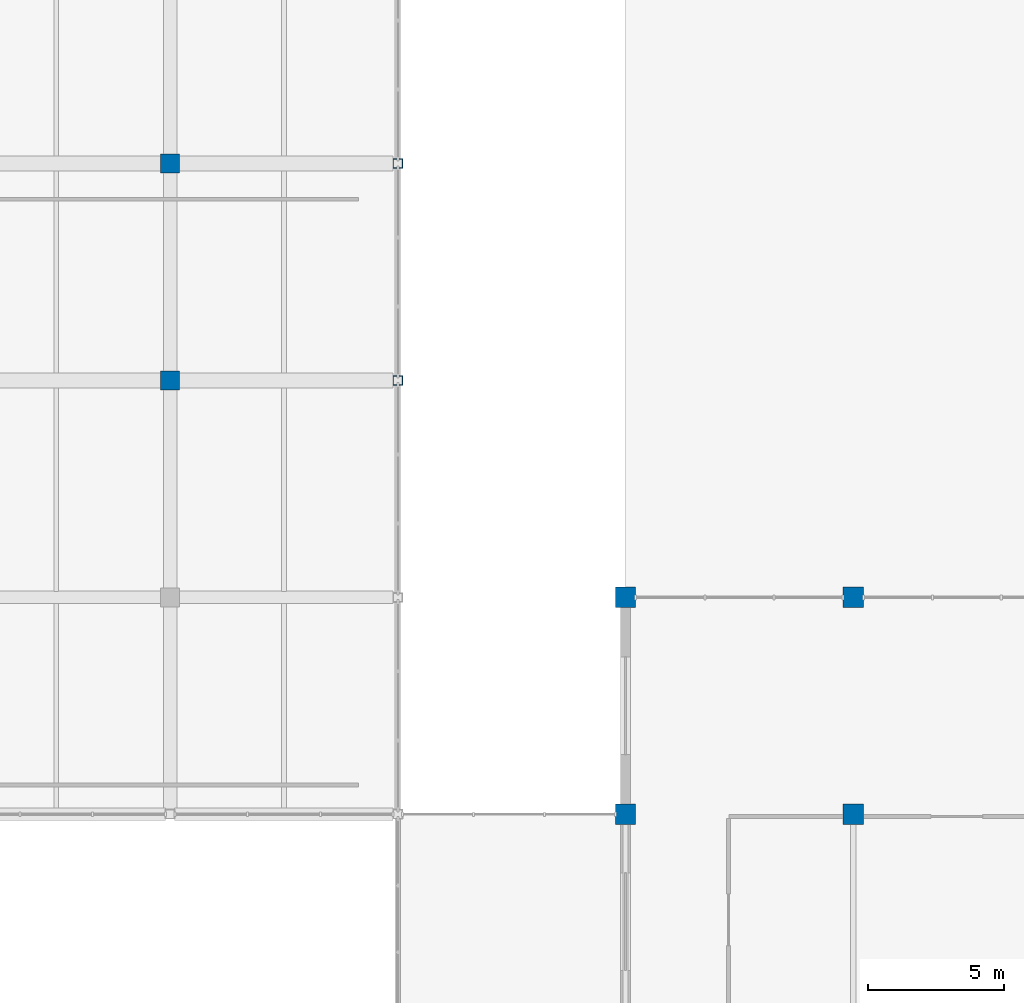
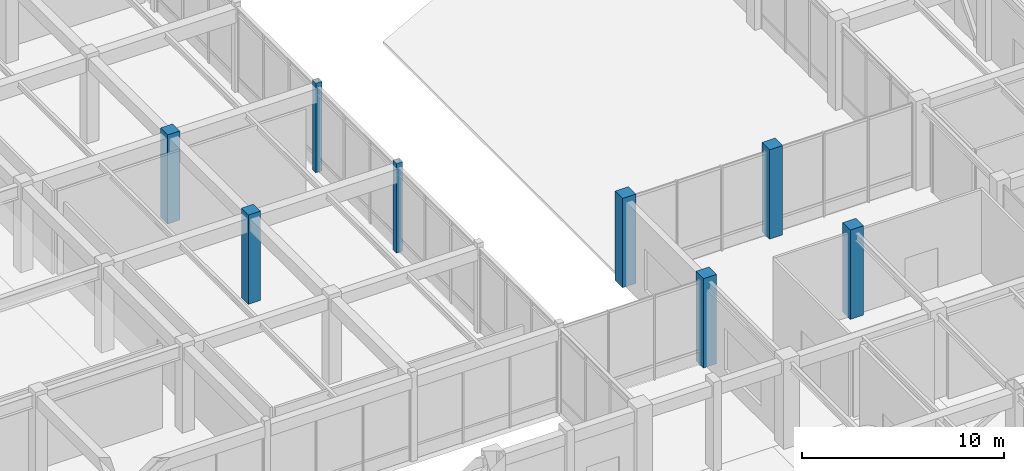
# One storey, part 10 of 79: 8 columns.
"""IFC4 building model written with IfcOpenShell, lengths in metres."""

from ifc_helpers import new_model, si_unit, direction, frame, origin, origin_2d, place, context, subcontext, project, spatial, rectangle, hollow_rectangle, extrude, material, material_profile, profile_set, type_object, element, save


model = new_model("IFC4")

# Units and contexts
model_context = context("Model", 3, precision=1e-05, world=origin(), true_north=direction((0.0, 1.0)))
body_context = subcontext(model_context, "Body", "Model", "MODEL_VIEW")
ifc_project = project(units=[si_unit("LENGTHUNIT", "METRE"), si_unit("AREAUNIT", "SQUARE_METRE"), si_unit("VOLUMEUNIT", "CUBIC_METRE"), si_unit("PLANEANGLEUNIT", "RADIAN"), si_unit("MASSUNIT", "GRAM", prefix="KILO")], contexts=[model_context])

# Site, building, storey
site_placement = place(None, origin())
site = spatial("IfcSite", under=ifc_project, at=site_placement, CompositionType="ELEMENT")
building_placement = place(site_placement, origin())
building = spatial("IfcBuilding", under=site, at=building_placement, Name="Naruveol Harbour Congress Hotel", CompositionType="ELEMENT")
storey_placement = place(building_placement, frame((0.0, 0.0, 6.0)))
storey = spatial("IfcBuildingStorey", under=building, at=storey_placement, Name="L01", CompositionType="ELEMENT", Elevation=6.0)

# Columns
ifc_material_1 = material(Name="Concrete C40/50", Category="concrete")
ifc_material_profile_1 = material_profile(ifc_material_1, rectangle(XDim=0.699951171875, YDim=0.699951171875, at=origin_2d()), Name="RC-700x700")
ifc_profile_set_1 = profile_set([ifc_material_profile_1], Name="Concrete C40/50")
column_type_1 = type_object("IfcColumnType", Name="RC HOTEL COLUMN 700X700", PredefinedType="COLUMN", material=ifc_profile_set_1)
for number, where, z_axis, x_axis, name in (
    (1, (33.60009765625, 80.0, 0.0), (0.0, 0.0, 1.0), (1.0, 0.0, 0.0), "Column C-700 L01 (33.6,80.0)"),
    (2, (33.60009765625, 88.0, 0.0), (0.0, 0.0, 1.0), (1.0, 0.0, 0.0), "Column C-700 L01 (33.6,88.0)"),
):
    element("IfcColumn", number, at=place(storey_placement, frame(where, z_axis=z_axis, x_axis=x_axis)), inside=storey, type_object=column_type_1, Name=name, PredefinedType="COLUMN", context=body_context, shape_type="SweptSolid", body=[
        extrude(rectangle(XDim=0.699951171875, YDim=0.699951171875, at=origin_2d()), origin(), (0.0, 0.0, 1.0), 5.39990234375),
    ])
ifc_material_2 = material(Name="Concrete C50/60", Category="concrete")
ifc_material_profile_2 = material_profile(ifc_material_2, rectangle(XDim=0.75, YDim=0.75, at=origin_2d()), Name="RC-750x750")
ifc_profile_set_2 = profile_set([ifc_material_profile_2], Name="Concrete C50/60")
column_type_2 = type_object("IfcColumnType", Name="RC WING COLUMN 750X750", PredefinedType="COLUMN", material=ifc_profile_set_2)
for number, where, z_axis, x_axis, name in (
    (3, (50.39990234375, 64.0, 0.0), (0.0, 0.0, 1.0), (1.0, 0.0, 0.0), "Column C-750 L01 (50.4,64.0)"),
    (4, (50.39990234375, 72.0, 0.0), (0.0, 0.0, 1.0), (1.0, 0.0, 0.0), "Column C-750 L01 (50.4,72.0)"),
    (5, (58.800048828125, 64.0, 0.0), (0.0, 0.0, 1.0), (1.0, 0.0, 0.0), "Column C-750 L01 (58.8,64.0)"),
    (6, (58.800048828125, 72.0, 0.0), (0.0, 0.0, 1.0), (1.0, 0.0, 0.0), "Column C-750 L01 (58.8,72.0)"),
):
    element("IfcColumn", number, at=place(storey_placement, frame(where, z_axis=z_axis, x_axis=x_axis)), inside=storey, type_object=column_type_2, Name=name, PredefinedType="COLUMN", context=body_context, shape_type="SweptSolid", body=[
        extrude(rectangle(XDim=0.75, YDim=0.75, at=origin_2d()), origin(), (0.0, 0.0, 1.0), 5.39990234375),
    ])
ifc_material_3 = material(Name="Steel SN490", Category="steel")
ifc_material_profile_3 = material_profile(ifc_material_3, hollow_rectangle(XDim=0.35009765625, YDim=0.35009765625, WallThickness=0.01611328125, at=origin_2d()), Name="SHS-350x350x16")
ifc_profile_set_3 = profile_set([ifc_material_profile_3], Name="Steel SN490")
column_type_3 = type_object("IfcColumnType", Name="STEEL PAVILION COLUMN SHS350", PredefinedType="COLUMN", material=ifc_profile_set_3)
for number, where, z_axis, x_axis, name in (
    (7, (42.0, 80.0, 0.0), (0.0, 0.0, 1.0), (1.0, 0.0, 0.0), "Column SC-S350 L01 (42.0,80.0)"),
    (8, (42.0, 88.0, 0.0), (0.0, 0.0, 1.0), (1.0, 0.0, 0.0), "Column SC-S350 L01 (42.0,88.0)"),
):
    element("IfcColumn", number, at=place(storey_placement, frame(where, z_axis=z_axis, x_axis=x_axis)), inside=storey, type_object=column_type_3, Name=name, PredefinedType="COLUMN", context=body_context, shape_type="SweptSolid", body=[
        extrude(hollow_rectangle(XDim=0.35009765625, YDim=0.35009765625, WallThickness=0.01611328125, at=origin_2d()), origin(), (0.0, 0.0, 1.0), 5.39990234375),
    ])

save(model, "model.ifc")
